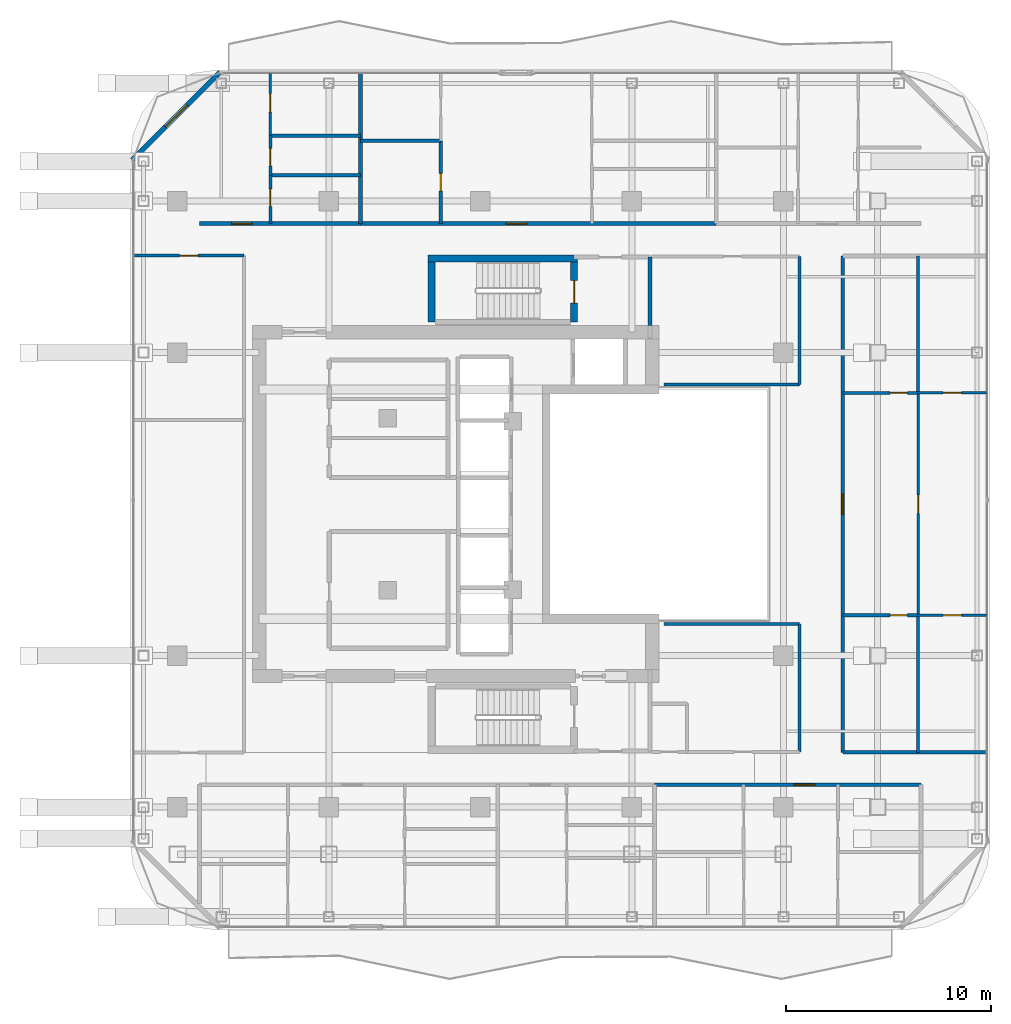
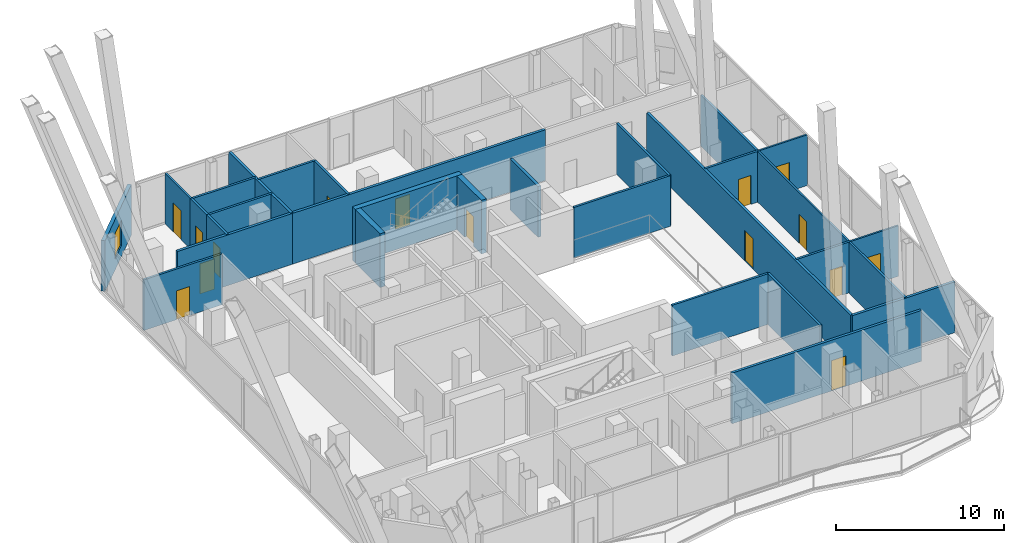
# One storey, part 23 of 27: 30 walls, 15 doors, 1 window, 16 openings.
"""IFC4 building model written with IfcOpenShell, lengths in metres."""

import ifcopenshell
import ifcopenshell.guid

model = None  # the IFC model being written
_history = None  # IfcOwnerHistory: only IFC2X3 demands one
_inside = {}  # id of a spatial element -> (the spatial element, [elements in it])
_under = {}  # id of a project, library or spatial element -> (it, [spatial elements below it])
_declared = {}  # id of a project -> (the project, [libraries it declares])
_typed = {}  # id of a type object -> (the type object, [elements of that type])
_made_of = {}  # id of a material, layer set ... -> (it, [elements and type objects made of it])


def new_model(schema):
    """Start an empty IFC model of exactly this schema.

    Asked for "IFC4X3", IfcOpenShell would pick the latest addendum, in which some entities
    have other attributes; the version numbers below select the first issue.
    IFC2X3 requires an IfcOwnerHistory on every rooted entity: one is made here for all.
    """
    global model, _history
    if schema == "IFC4X3":
        model = ifcopenshell.file(schema_version=(4, 3, 0, 0))
    else:
        model = ifcopenshell.file(schema=schema)
    _inside.clear()
    _under.clear()
    _declared.clear()
    _typed.clear()
    _made_of.clear()
    _history = None
    if model.schema == "IFC2X3":
        org = make("IfcOrganization", Name="unknown")
        user = make(
            "IfcPersonAndOrganization",
            ThePerson=make("IfcPerson", FamilyName="unknown"),
            TheOrganization=org,
        )
        app = make(
            "IfcApplication",
            ApplicationDeveloper=org,
            Version="unknown",
            ApplicationFullName="unknown",
            ApplicationIdentifier="unknown",
        )
        _history = make(
            "IfcOwnerHistory",
            OwningUser=user,
            OwningApplication=app,
            ChangeAction="ADDED",
            CreationDate=0,
        )
    return model


def make(cls, **values):
    """One entity of the class cls with the attributes given. An attribute that is None is left unset."""
    return model.create_entity(
        cls, **{name: value for name, value in values.items() if value is not None}
    )


def rooted(cls, **values):
    """An entity with a GlobalId (a new one), such as an element, a storey or a relation."""
    return make(cls, GlobalId=ifcopenshell.guid.new(), OwnerHistory=_history, **values)


def si_unit(unit_type, name, prefix=None):
    """IfcSIUnit, for example si_unit("LENGTHUNIT", "METRE", prefix="MILLI")."""
    return make("IfcSIUnit", UnitType=unit_type, Prefix=prefix, Name=name)


def assignment(units):
    """IfcUnitAssignment: the units of a project."""
    return None if units is None else make("IfcUnitAssignment", Units=units)


def point(xyz):
    """IfcCartesianPoint."""
    return None if xyz is None else make("IfcCartesianPoint", Coordinates=xyz)


def direction(xyz):
    """IfcDirection."""
    return None if xyz is None else make("IfcDirection", DirectionRatios=xyz)


def frame(location, z_axis=None, x_axis=None):
    """IfcAxis2Placement3D, a coordinate frame: its origin and axes. An axis left out is left unset."""
    return make(
        "IfcAxis2Placement3D",
        Location=point(location),
        Axis=direction(z_axis),
        RefDirection=direction(x_axis),
    )


def frame_2d(location, x_axis=None):
    """IfcAxis2Placement2D, a coordinate frame in the plane: its origin and x axis."""
    return make(
        "IfcAxis2Placement2D", Location=point(location), RefDirection=direction(x_axis)
    )


def origin():
    """The frame at (0, 0, 0) with its axes left unset."""
    return frame((0.0, 0.0, 0.0))


def place(relative_to, where):
    """IfcLocalPlacement: puts the frame where relative to a parent placement (None: the world)."""
    return make(
        "IfcLocalPlacement", PlacementRelTo=relative_to, RelativePlacement=where
    )


def context(
    kind, dimensions, precision=None, world=None, true_north=None, identifier=None
):
    """IfcGeometricRepresentationContext, for example the 3D "Model" context."""
    return make(
        "IfcGeometricRepresentationContext",
        ContextIdentifier=identifier,
        ContextType=kind,
        CoordinateSpaceDimension=dimensions,
        Precision=precision,
        WorldCoordinateSystem=world,
        TrueNorth=true_north,
    )


def subcontext(parent, identifier, kind, view, scale=None):
    """IfcGeometricRepresentationSubContext, for example "Body" below "Model"."""
    return make(
        "IfcGeometricRepresentationSubContext",
        ContextIdentifier=identifier,
        ContextType=kind,
        ParentContext=parent,
        TargetScale=scale,
        TargetView=view,
    )


def project(units=None, contexts=None):
    """IfcProject with its units and contexts."""
    return rooted(
        "IfcProject",
        Name="project",
        RepresentationContexts=contexts,
        UnitsInContext=assignment(units),
    )


def spatial(cls, under=None, at=None, **own):
    """A site, building, storey or space (cls), placed at a placement, below another one or the project."""
    s = rooted(cls, ObjectPlacement=at, **own)
    if under is not None:
        _under.setdefault(under.id(), (under, []))[1].append(s)
    return s


def profile(cls, at=None, kind="AREA", **sizes):
    """A parametric profile (cls). Its sizes go by their IFC names, for example OverallWidth=200.0."""
    return make(cls, ProfileType=kind, Position=at, **sizes)


def rectangle(**sizes):
    """IfcRectangleProfileDef."""
    return profile("IfcRectangleProfileDef", **sizes)


def extrude(swept, where, along, depth):
    """IfcExtrudedAreaSolid: the profile swept, set in the frame where, extruded along a direction by depth."""
    return make(
        "IfcExtrudedAreaSolid",
        SweptArea=swept,
        Position=where,
        ExtrudedDirection=direction(along),
        Depth=depth,
    )


def shape(context_of_items, identifier, shape_type, items):
    """IfcShapeRepresentation: the items that make up one representation, for example the "Body"."""
    return make(
        "IfcShapeRepresentation",
        ContextOfItems=context_of_items,
        RepresentationIdentifier=identifier,
        RepresentationType=shape_type,
        Items=items,
    )


def material(Name=None, Category=None):
    """IfcMaterial."""
    return make("IfcMaterial", Name=Name, Category=Category)


def layer(
    of_material, thickness, ventilated=None, Name=None, Category=None, Priority=None
):
    """IfcMaterialLayer: one layer of a wall or slab, of a material (None: an air gap)."""
    return make(
        "IfcMaterialLayer",
        Material=of_material,
        LayerThickness=thickness,
        IsVentilated=ventilated,
        Name=Name,
        Category=Category,
        Priority=Priority,
    )


def layer_set(layers, Name=None):
    """IfcMaterialLayerSet."""
    return make("IfcMaterialLayerSet", MaterialLayers=layers, LayerSetName=Name)


def made_of(thing, what):
    """Note that an element or type object is made of a material, layer set ...; save() writes the relation."""
    if what is not None:
        _made_of.setdefault(what.id(), (what, []))[1].append(thing)
    return thing


def type_object(cls, material=None, **own):
    """A type object (cls), such as IfcWallType, which elements share."""
    return made_of(rooted(cls, **own), material)


def element(
    cls,
    number,
    at=None,
    inside=None,
    cuts=None,
    type_object=None,
    material=None,
    context=None,
    identifier="Body",
    shape_type=None,
    held_by="IfcProductDefinitionShape",
    body=None,
    shapes=None,
    **own,
):
    """One element of the class cls, such as IfcWall. Its Tag is "e" and its number.

    at: its placement. inside: the storey or other place that contains it. cuts: it is an
    opening in that element (IfcRelVoidsElement). A single representation is given by context,
    identifier, shape_type and body (its items); several are given by shapes. held_by: the class
    of the entity that holds the representations. save() writes the other relations.
    """
    e = rooted(cls, Tag="e%d" % number, ObjectPlacement=at, **own)
    if body is not None:
        shapes = [shape(context, identifier, shape_type, body)]
    if shapes is not None:
        e.Representation = make(held_by, Representations=shapes)
    if inside is not None:
        _inside.setdefault(inside.id(), (inside, []))[1].append(e)
    if cuts is not None:
        rooted(
            "IfcRelVoidsElement", RelatingBuildingElement=cuts, RelatedOpeningElement=e
        )
    if type_object is not None:
        _typed.setdefault(type_object.id(), (type_object, []))[1].append(e)
    return made_of(e, material)


def fill(opening, filler):
    """IfcRelFillsElement: the door or window that sits in an opening."""
    return rooted(
        "IfcRelFillsElement",
        RelatingOpeningElement=opening,
        RelatedBuildingElement=filler,
    )


def aggregate(whole, parts):
    """IfcRelAggregates: a whole, such as a stair, and the parts it consists of."""
    return rooted("IfcRelAggregates", RelatingObject=whole, RelatedObjects=parts)


def save(model, path):
    """Write the relations noted so far, then the file.

    IfcRelAggregates (storeys below a building ...), IfcRelContainedInSpatialStructure (elements
    in a storey), IfcRelDefinesByType, IfcRelAssociatesMaterial and IfcRelDeclares: one each for
    every whole, place, type object, material and project.
    """
    for whole, parts in _under.values():
        aggregate(whole, parts)
    for where, things in _inside.values():
        rooted(
            "IfcRelContainedInSpatialStructure",
            RelatedElements=things,
            RelatingStructure=where,
        )
    for kind, things in _typed.values():
        rooted("IfcRelDefinesByType", RelatedObjects=things, RelatingType=kind)
    for what, things in _made_of.values():
        rooted("IfcRelAssociatesMaterial", RelatedObjects=things, RelatingMaterial=what)
    for by, libraries in _declared.values():
        rooted("IfcRelDeclares", RelatingContext=by, RelatedDefinitions=libraries)
    model.write(path)


model = new_model("IFC4")

# Units and contexts
model_context = context("Model", 3, precision=1e-05, world=origin(), true_north=direction((0.0, 1.0)))
body_context = subcontext(model_context, "Body", "Model", "MODEL_VIEW")
ifc_project = project(units=[si_unit("LENGTHUNIT", "METRE"), si_unit("AREAUNIT", "SQUARE_METRE"), si_unit("VOLUMEUNIT", "CUBIC_METRE"), si_unit("PLANEANGLEUNIT", "RADIAN"), si_unit("MASSUNIT", "GRAM", prefix="KILO")], contexts=[model_context])

# Site, building, storey
site_placement = place(None, origin())
site = spatial("IfcSite", under=ifc_project, at=site_placement, CompositionType="ELEMENT")
building_placement = place(site_placement, origin())
building = spatial("IfcBuilding", under=site, at=building_placement, Name="Khorvyn Point Tower", CompositionType="ELEMENT")
storey_placement = place(building_placement, frame((0.0, 0.0, 270.300048828125)))
storey = spatial("IfcBuildingStorey", under=building, at=storey_placement, Name="L66", CompositionType="ELEMENT", Elevation=270.300048828125)

# Wall, opening, door
ifc_material_1 = material(Name="Double acoustic gypsum on twin steel stud", Category="steel")
ifc_layer_1 = layer(ifc_material_1, 0.179931640625)
ifc_layer_set_1 = layer_set([ifc_layer_1], Name="Acoustic Double-Stud Apartment Demising Wall 180")
wall_type_1 = type_object("IfcWallType", Name="Acoustic Double-Stud Apartment Demising Wall 180", PredefinedType="PARTITIONING", material=ifc_layer_set_1)
wall_1_placement = place(storey_placement, frame((-13.719970703125, 13.699951171875, 0.0), z_axis=(0.0, 0.0, 1.0), x_axis=(1.0, 0.0, 0.0)))
wall_1 = element("IfcWall", 1, at=wall_1_placement, inside=storey, type_object=wall_type_1, Name="Wall", PredefinedType="PARTITIONING", context=body_context, shape_type="SweptSolid", body=[
    extrude(rectangle(XDim=7.869873046875, YDim=0.179931640625, at=frame_2d((3.93505859375, 0.0))), origin(), (0.0, 0.0, 1.0), 3.679931640625),
])
opening_1_placement = place(wall_1_placement, frame((1.576171875, 0.0, 0.0)))
opening_1 = element("IfcOpeningElement", 2, at=opening_1_placement, cuts=wall_1, Name="Opening ID-AP60", PredefinedType="OPENING", context=body_context, shape_type="SweptSolid", body=[
    extrude(rectangle(XDim=1.0, YDim=2.199951171875, at=frame_2d((0.5, 1.10009765625))), frame((0.0, 0.099853515625, 0.0), z_axis=(0.0, -1.0, 0.0), x_axis=(1.0, 0.0, 0.0)), (0.0, 0.0, 1.0), 0.199951171875),
])
ifc_material_2 = material(Name="Engineered hardwood fire-rated leaf", Category="wood")
door_type_1 = type_object("IfcDoorType", Name="Acoustic Solid-Core Timber Apartment Entrance Door 1000x2200", OperationType="NOTDEFINED", PredefinedType="DOOR", material=ifc_material_2)
door_1_placement = place(opening_1_placement, origin())
door_1 = element("IfcDoor", 3, at=door_1_placement, inside=storey, type_object=door_type_1, Name="Door", OperationType="SINGLE_SWING_LEFT", OverallHeight=2.199951171875, OverallWidth=1.0, PredefinedType="DOOR", context=body_context, shape_type="SweptSolid", body=[
    extrude(rectangle(XDim=1.0, YDim=2.199951171875, at=frame_2d((0.5, 1.10009765625))), frame((0.0, 0.02490234375, 0.0), z_axis=(0.0, -1.0, 0.0), x_axis=(1.0, 0.0, 0.0)), (0.0, 0.0, 1.0), 0.050048828125),
])
fill(opening_1, door_1)

wall_2_placement = place(storey_placement, frame((-5.85009765625, 13.699951171875, 0.0), z_axis=(0.0, 0.0, 1.0), x_axis=(1.0, 0.0, 0.0)))
wall_2 = element("IfcWall", 4, at=wall_2_placement, inside=storey, type_object=wall_type_1, Name="Wall", PredefinedType="PARTITIONING", context=body_context, shape_type="SweptSolid", body=[
    extrude(rectangle(XDim=17.3681640625, YDim=0.179931640625, at=frame_2d((8.68408203125, 0.0))), origin(), (0.0, 0.0, 1.0), 3.679931640625),
])
opening_2_placement = place(wall_2_placement, frame((7.114013671875, 0.0, 0.0)))
opening_2 = element("IfcOpeningElement", 5, at=opening_2_placement, cuts=wall_2, Name="Opening ID-AP60", PredefinedType="OPENING", context=body_context, shape_type="SweptSolid", body=[
    extrude(rectangle(XDim=1.0, YDim=2.199951171875, at=frame_2d((0.5, 1.10009765625))), frame((0.0, 0.099853515625, 0.0), z_axis=(0.0, -1.0, 0.0), x_axis=(1.0, 0.0, 0.0)), (0.0, 0.0, 1.0), 0.199951171875),
])
door_2_placement = place(opening_2_placement, origin())
door_2 = element("IfcDoor", 6, at=door_2_placement, inside=storey, type_object=door_type_1, Name="Door", OperationType="SINGLE_SWING_LEFT", OverallHeight=2.199951171875, OverallWidth=1.0, PredefinedType="DOOR", context=body_context, shape_type="SweptSolid", body=[
    extrude(rectangle(XDim=1.0, YDim=2.199951171875, at=frame_2d((0.5, 1.10009765625))), frame((0.0, 0.02490234375, 0.0), z_axis=(0.0, -1.0, 0.0), x_axis=(1.0, 0.0, 0.0)), (0.0, 0.0, 1.0), 0.050048828125),
])
fill(opening_2, door_2)

wall_3_placement = place(storey_placement, frame((8.5048828125, -13.699951171875, 0.0), z_axis=(0.0, 0.0, 1.0), x_axis=(1.0, 0.0, 0.0)))
wall_3 = element("IfcWall", 7, at=wall_3_placement, inside=storey, type_object=wall_type_1, Name="Wall", PredefinedType="PARTITIONING", context=body_context, shape_type="SweptSolid", body=[
    extrude(rectangle(XDim=13.01513671875, YDim=0.179931640625, at=frame_2d((6.507568359375, 0.0))), origin(), (0.0, 0.0, 1.0), 3.679931640625),
])
opening_3_placement = place(wall_3_placement, frame((6.817138671875, 0.0, 0.0)))
opening_3 = element("IfcOpeningElement", 8, at=opening_3_placement, cuts=wall_3, Name="Opening ID-AP60", PredefinedType="OPENING", context=body_context, shape_type="SweptSolid", body=[
    extrude(rectangle(XDim=1.0, YDim=2.199951171875, at=frame_2d((0.5, 1.10009765625))), frame((0.0, 0.099853515625, 0.0), z_axis=(0.0, -1.0, 0.0), x_axis=(1.0, 0.0, 0.0)), (0.0, 0.0, 1.0), 0.199951171875),
])
door_3_placement = place(opening_3_placement, origin())
door_3 = element("IfcDoor", 9, at=door_3_placement, inside=storey, type_object=door_type_1, Name="Door", OperationType="SINGLE_SWING_RIGHT", OverallHeight=2.199951171875, OverallWidth=1.0, PredefinedType="DOOR", context=body_context, shape_type="SweptSolid", body=[
    extrude(rectangle(XDim=1.0, YDim=2.199951171875, at=frame_2d((0.5, 1.10009765625))), frame((0.0, 0.02490234375, 0.0), z_axis=(0.0, -1.0, 0.0), x_axis=(1.0, 0.0, 0.0)), (0.0, 0.0, 1.0), 0.050048828125),
])
fill(opening_3, door_3)

wall_4_placement = place(storey_placement, frame((17.699951171875, -12.1201171875, 0.0), z_axis=(0.0, 0.0, 1.0), x_axis=(0.0, 1.0, 0.0)))
wall_4 = element("IfcWall", 10, at=wall_4_placement, inside=storey, type_object=wall_type_1, Name="Wall", PredefinedType="PARTITIONING", context=body_context, shape_type="SweptSolid", body=[
    extrude(rectangle(XDim=24.240234375, YDim=0.179931640625, at=frame_2d((12.1201171875, 0.0))), origin(), (0.0, 0.0, 1.0), 3.679931640625),
])
opening_4_placement = place(wall_4_placement, frame((11.6201171875, 0.0, 0.0)))
opening_4 = element("IfcOpeningElement", 11, at=opening_4_placement, cuts=wall_4, Name="Opening ID-AP60", PredefinedType="OPENING", context=body_context, shape_type="SweptSolid", body=[
    extrude(rectangle(XDim=1.0, YDim=2.199951171875, at=frame_2d((0.5, 1.10009765625))), frame((0.0, 0.099853515625, 0.0), z_axis=(0.0, -1.0, 0.0), x_axis=(1.0, 0.0, 0.0)), (0.0, 0.0, 1.0), 0.199951171875),
])
door_4_placement = place(opening_4_placement, origin())
door_4 = element("IfcDoor", 12, at=door_4_placement, inside=storey, type_object=door_type_1, Name="Door", OperationType="SINGLE_SWING_LEFT", OverallHeight=2.199951171875, OverallWidth=1.0, PredefinedType="DOOR", context=body_context, shape_type="SweptSolid", body=[
    extrude(rectangle(XDim=1.0, YDim=2.199951171875, at=frame_2d((0.5, 1.10009765625))), frame((0.0, 0.02490234375, 0.0), z_axis=(0.0, -1.0, 0.0), x_axis=(1.0, 0.0, 0.0)), (0.0, 0.0, 1.0), 0.050048828125),
])
fill(opening_4, door_4)

# Walls
wall_5_placement = place(storey_placement, frame((-5.85009765625, 13.699951171875, 0.0), z_axis=(0.0, 0.0, 1.0), x_axis=(0.0, 1.0, 0.0)))
element("IfcWall", 13, at=wall_5_placement, inside=storey, type_object=wall_type_1, Name="Wall", PredefinedType="PARTITIONING", context=body_context, shape_type="SweptSolid", body=[
    extrude(rectangle(XDim=7.330078125, YDim=0.179931640625, at=frame_2d((3.6650390625, 0.0))), origin(), (0.0, 0.0, 1.0), 3.679931640625),
])
wall_6_placement = place(storey_placement, frame((17.699951171875, -12.1201171875, 0.0), z_axis=(0.0, 0.0, 1.0), x_axis=(1.0, 0.0, 0.0)))
element("IfcWall", 14, at=wall_6_placement, inside=storey, type_object=wall_type_1, Name="Wall", PredefinedType="PARTITIONING", context=body_context, shape_type="SweptSolid", body=[
    extrude(rectangle(XDim=7.030029296875, YDim=0.179931640625, at=frame_2d((3.51513671875, 0.0))), origin(), (0.0, 0.0, 1.0), 3.679931640625),
])

# Wall, opening, window
ifc_material_3 = material(Name="Pale anodised aluminium rainscreen on steel stud", Category="steel")
ifc_layer_2 = layer(ifc_material_3, 0.239990234375)
ifc_layer_set_2 = layer_set([ifc_layer_2], Name="Anodised Aluminium Insulated Corner Spandrel Wall 240")
wall_type_2 = type_object("IfcWallType", Name="Anodised Aluminium Insulated Corner Spandrel Wall 240", PredefinedType="SOLIDWALL", material=ifc_layer_set_2)
wall_7_placement = place(storey_placement, frame((-16.992431640625, 16.8076171875, 0.0), z_axis=(0.0, 0.0, 1.0), x_axis=(0.707126925818, 0.707086635981, 0.0)))
wall_7 = element("IfcWall", 15, at=wall_7_placement, inside=storey, type_object=wall_type_2, Name="L66 Rounded Corner Wall NW", PredefinedType="SOLIDWALL", context=body_context, shape_type="SweptSolid", body=[
    extrude(rectangle(XDim=6.0595703125, YDim=0.239990234375, at=frame_2d((3.02978515625, 0.0))), origin(), (0.0, 0.0, 1.0), 3.679931640625),
])
opening_5_placement = place(wall_7_placement, frame((2.27978515625, 0.0, 0.800048828125)))
opening_5 = element("IfcOpeningElement", 16, at=opening_5_placement, cuts=wall_7, Name="Opening WN-1518", PredefinedType="OPENING", context=body_context, shape_type="SweptSolid", body=[
    extrude(rectangle(XDim=1.5, YDim=1.85009765625, at=frame_2d((0.75, 0.925048828125))), frame((0.0, 0.1298828125, 0.0), z_axis=(0.0, -1.0, 0.0), x_axis=(1.0, 0.0, 0.0)), (0.0, 0.0, 1.0), 0.260009765625),
])
ifc_material_4 = material(Name="Anodised aluminium 6063-T6 and laminated Low-E glass", Category="aluminium")
window_type = type_object("IfcWindowType", Name="Anodised Aluminium Rounded-Corner Panoramic Window 1500x1850", PartitioningType="SINGLE_PANEL", PredefinedType="WINDOW", material=ifc_material_4)
window_placement = place(opening_5_placement, origin())
window = element("IfcWindow", 17, at=window_placement, inside=storey, type_object=window_type, Name="L66 Corner Panoramic Window NW", OverallHeight=1.85009765625, OverallWidth=1.5, PartitioningType="SINGLE_PANEL", PredefinedType="WINDOW", context=body_context, shape_type="SweptSolid", body=[
    extrude(rectangle(XDim=1.5, YDim=1.85009765625, at=frame_2d((0.75, 0.925048828125))), frame((0.0, 0.030029296875, 0.0), z_axis=(0.0, -1.0, 0.0), x_axis=(1.0, 0.0, 0.0)), (0.0, 0.0, 1.0), 0.06005859375),
])
fill(opening_5, window)

# Walls
ifc_material_5 = material(Name="Concrete C40/50", Category="concrete")
ifc_layer_3 = layer(ifc_material_5, 0.199951171875)
ifc_layer_set_3 = layer_set([ifc_layer_3], Name="Concrete C40/50 Fire-Lobby Compartment Wall 200")
wall_type_3 = type_object("IfcWallType", Name="Concrete C40/50 Fire-Lobby Compartment Wall 200", PredefinedType="SOLIDWALL", material=ifc_layer_set_3)
wall_8_placement = place(storey_placement, frame((8.280029296875, 8.72509765625, 0.0), z_axis=(0.0, 0.0, 1.0), x_axis=(0.0, 1.0, 0.0)))
element("IfcWall", 18, at=wall_8_placement, inside=storey, type_object=wall_type_3, Name="Wall", PredefinedType="SOLIDWALL", context=body_context, shape_type="SweptSolid", body=[
    extrude(rectangle(XDim=3.3349609375, YDim=0.199951171875, at=frame_2d((1.66748046875, 0.0))), origin(), (0.0, 0.0, 1.0), 3.679931640625),
])
ifc_layer_4 = layer(ifc_material_5, 0.35009765625)
ifc_layer_set_4 = layer_set([ifc_layer_4], Name="Concrete C40/50 Stair Shaft Structural Wall 350")
wall_type_4 = type_object("IfcWallType", Name="Concrete C40/50 Stair Shaft Structural Wall 350", PredefinedType="SHEAR", material=ifc_layer_set_4)
wall_9_placement = place(storey_placement, frame((-2.554931640625, 12.0, 0.0), z_axis=(0.0, 0.0, 1.0), x_axis=(1.0, 0.0, 0.0)))
element("IfcWall", 19, at=wall_9_placement, inside=storey, type_object=wall_type_4, Name="L66 ST-02 North Shaft Wall", PredefinedType="SHEAR", context=body_context, shape_type="SweptSolid", body=[
    extrude(rectangle(XDim=7.309814453125, YDim=0.35009765625, at=frame_2d((3.65478515625, 0.0))), origin(), (0.0, 0.0, 1.0), 3.89990234375),
])
wall_10_placement = place(storey_placement, frame((-2.3798828125, 8.89990234375, 0.0), z_axis=(0.0, 0.0, 1.0), x_axis=(0.0, 1.0, 0.0)))
element("IfcWall", 20, at=wall_10_placement, inside=storey, type_object=wall_type_4, Name="L66 ST-02 West Shaft Wall", PredefinedType="SHEAR", context=body_context, shape_type="SweptSolid", body=[
    extrude(rectangle(XDim=2.925048828125, YDim=0.35009765625, at=frame_2d((1.46240234375, 0.0))), origin(), (0.0, 0.0, 1.0), 3.89990234375),
])

# Wall, opening, door
wall_11_placement = place(storey_placement, frame((4.580078125, 11.824951171875, 0.0), z_axis=(0.0, 0.0, 1.0), x_axis=(0.0, -1.0, 0.0)))
wall_11 = element("IfcWall", 21, at=wall_11_placement, inside=storey, type_object=wall_type_4, Name="L66 ST-02 East Landing Door Wall", PredefinedType="SHEAR", context=body_context, shape_type="SweptSolid", body=[
    extrude(rectangle(XDim=2.925048828125, YDim=0.35009765625, at=frame_2d((1.46240234375, 0.0))), origin(), (0.0, 0.0, 1.0), 3.89990234375),
])
opening_6_placement = place(wall_11_placement, frame((0.91259765625, 0.0, 0.0)))
opening_6 = element("IfcOpeningElement", 22, at=opening_6_placement, cuts=wall_11, Name="Opening ID-FL90", PredefinedType="OPENING", context=body_context, shape_type="SweptSolid", body=[
    extrude(rectangle(XDim=1.10009765625, YDim=2.14990234375, at=frame_2d((0.550048828125, 1.074951171875))), frame((0.0, 0.18505859375, 0.0), z_axis=(0.0, -1.0, 0.0), x_axis=(1.0, 0.0, 0.0)), (0.0, 0.0, 1.0), 0.3701171875),
])
ifc_material_6 = material(Name="Galvanised powder-coated steel", Category="steel")
door_type_2 = type_object("IfcDoorType", Name="Fire-Rated Steel Lobby and Stair Door 1100x2150", OperationType="NOTDEFINED", PredefinedType="DOOR", material=ifc_material_6)
door_5_placement = place(opening_6_placement, origin())
door_5 = element("IfcDoor", 23, at=door_5_placement, inside=storey, type_object=door_type_2, Name="L66 ST-02 Smokeproof Landing Door", OperationType="SINGLE_SWING_LEFT", OverallHeight=2.14990234375, OverallWidth=1.10009765625, PredefinedType="DOOR", context=body_context, shape_type="SweptSolid", body=[
    extrude(rectangle(XDim=1.10009765625, YDim=2.14990234375, at=frame_2d((0.550048828125, 1.074951171875))), frame((0.0, 0.02490234375, 0.0), z_axis=(0.0, -1.0, 0.0), x_axis=(1.0, 0.0, 0.0)), (0.0, 0.0, 1.0), 0.050048828125),
])
fill(opening_6, door_5)

ifc_material_7 = material(Name="Gypsum plasterboard on steel stud", Category="steel")
ifc_layer_5 = layer(ifc_material_7, 0.1201171875)
ifc_layer_set_5 = layer_set([ifc_layer_5], Name="Gypsum Acoustic Stud Room Partition Wall 120")
wall_type_5 = type_object("IfcWallType", Name="Gypsum Acoustic Stud Room Partition Wall 120", PredefinedType="PARTITIONING", material=ifc_layer_set_5)
wall_12_placement = place(storey_placement, frame((-10.257080078125, 17.989990234375, 0.0), z_axis=(0.0, 0.0, 1.0), x_axis=(0.0, 1.0, 0.0)))
wall_12 = element("IfcWall", 24, at=wall_12_placement, inside=storey, type_object=wall_type_5, Name="Wall", PredefinedType="PARTITIONING", context=body_context, shape_type="SweptSolid", body=[
    extrude(rectangle(XDim=3.0400390625, YDim=0.1201171875, at=frame_2d((1.52001953125, 0.0))), origin(), (0.0, 0.0, 1.0), 3.679931640625),
])
opening_7_placement = place(wall_12_placement, frame((1.152587890625, 0.0, 0.0)))
opening_7 = element("IfcOpeningElement", 25, at=opening_7_placement, cuts=wall_12, Name="Opening ID-RM90", PredefinedType="OPENING", context=body_context, shape_type="SweptSolid", body=[
    extrude(rectangle(XDim=0.89990234375, YDim=2.10009765625, at=frame_2d((0.449951171875, 1.050048828125))), frame((0.0, 0.070068359375, 0.0), z_axis=(0.0, -1.0, 0.0), x_axis=(1.0, 0.0, 0.0)), (0.0, 0.0, 1.0), 0.14013671875),
])
ifc_material_8 = material(Name="Engineered oak veneer timber", Category="wood")
door_type_3 = type_object("IfcDoorType", Name="Flush Engineered Timber Room Door 900x2100", OperationType="NOTDEFINED", PredefinedType="DOOR", material=ifc_material_8)
door_6_placement = place(opening_7_placement, origin())
door_6 = element("IfcDoor", 26, at=door_6_placement, inside=storey, type_object=door_type_3, Name="Door", OperationType="SINGLE_SWING_RIGHT", OverallHeight=2.10009765625, OverallWidth=0.89990234375, PredefinedType="DOOR", context=body_context, shape_type="SweptSolid", body=[
    extrude(rectangle(XDim=0.89990234375, YDim=2.10009765625, at=frame_2d((0.449951171875, 1.050048828125))), frame((0.0, 0.02490234375, 0.0), z_axis=(0.0, -1.0, 0.0), x_axis=(1.0, 0.0, 0.0)), (0.0, 0.0, 1.0), 0.050048828125),
])
fill(opening_7, door_6)

wall_13_placement = place(storey_placement, frame((21.376953125, -5.427978515625, 0.0), z_axis=(0.0, 0.0, 1.0), x_axis=(0.0, 1.0, 0.0)))
wall_13 = element("IfcWall", 27, at=wall_13_placement, inside=storey, type_object=wall_type_5, Name="Wall", PredefinedType="PARTITIONING", context=body_context, shape_type="SweptSolid", body=[
    extrude(rectangle(XDim=10.85595703125, YDim=0.1201171875, at=frame_2d((5.427978515625, 0.0))), origin(), (0.0, 0.0, 1.0), 3.679931640625),
])
opening_8_placement = place(wall_13_placement, frame((4.97802734375, 0.0, 0.0)))
opening_8 = element("IfcOpeningElement", 28, at=opening_8_placement, cuts=wall_13, Name="Opening ID-RM90", PredefinedType="OPENING", context=body_context, shape_type="SweptSolid", body=[
    extrude(rectangle(XDim=0.89990234375, YDim=2.10009765625, at=frame_2d((0.449951171875, 1.050048828125))), frame((0.0, 0.070068359375, 0.0), z_axis=(0.0, -1.0, 0.0), x_axis=(1.0, 0.0, 0.0)), (0.0, 0.0, 1.0), 0.14013671875),
])
door_7_placement = place(opening_8_placement, origin())
door_7 = element("IfcDoor", 29, at=door_7_placement, inside=storey, type_object=door_type_3, Name="Door", OperationType="SINGLE_SWING_RIGHT", OverallHeight=2.10009765625, OverallWidth=0.89990234375, PredefinedType="DOOR", context=body_context, shape_type="SweptSolid", body=[
    extrude(rectangle(XDim=0.89990234375, YDim=2.10009765625, at=frame_2d((0.449951171875, 1.050048828125))), frame((0.0, 0.02490234375, 0.0), z_axis=(0.0, -1.0, 0.0), x_axis=(1.0, 0.0, 0.0)), (0.0, 0.0, 1.0), 0.050048828125),
])
fill(opening_8, door_7)

wall_14_placement = place(storey_placement, frame((21.376953125, -5.427978515625, 0.0), z_axis=(0.0, 0.0, 1.0), x_axis=(1.0, 0.0, 0.0)))
wall_14 = element("IfcWall", 30, at=wall_14_placement, inside=storey, type_object=wall_type_5, Name="Wall", PredefinedType="PARTITIONING", context=body_context, shape_type="SweptSolid", body=[
    extrude(rectangle(XDim=3.35302734375, YDim=0.1201171875, at=frame_2d((1.676513671875, 0.0))), origin(), (0.0, 0.0, 1.0), 3.679931640625),
])
opening_9_placement = place(wall_14_placement, frame((1.2265625, 0.0, 0.0)))
opening_9 = element("IfcOpeningElement", 31, at=opening_9_placement, cuts=wall_14, Name="Opening ID-RM90", PredefinedType="OPENING", context=body_context, shape_type="SweptSolid", body=[
    extrude(rectangle(XDim=0.89990234375, YDim=2.10009765625, at=frame_2d((0.449951171875, 1.050048828125))), frame((0.0, 0.070068359375, 0.0), z_axis=(0.0, -1.0, 0.0), x_axis=(1.0, 0.0, 0.0)), (0.0, 0.0, 1.0), 0.14013671875),
])
door_8_placement = place(opening_9_placement, origin())
door_8 = element("IfcDoor", 32, at=door_8_placement, inside=storey, type_object=door_type_3, Name="Door", OperationType="SINGLE_SWING_LEFT", OverallHeight=2.10009765625, OverallWidth=0.89990234375, PredefinedType="DOOR", context=body_context, shape_type="SweptSolid", body=[
    extrude(rectangle(XDim=0.89990234375, YDim=2.10009765625, at=frame_2d((0.449951171875, 1.050048828125))), frame((0.0, 0.02490234375, 0.0), z_axis=(0.0, -1.0, 0.0), x_axis=(1.0, 0.0, 0.0)), (0.0, 0.0, 1.0), 0.050048828125),
])
fill(opening_9, door_8)

wall_15_placement = place(storey_placement, frame((21.376953125, 5.427978515625, 0.0), z_axis=(0.0, 0.0, 1.0), x_axis=(1.0, 0.0, 0.0)))
wall_15 = element("IfcWall", 33, at=wall_15_placement, inside=storey, type_object=wall_type_5, Name="Wall", PredefinedType="PARTITIONING", context=body_context, shape_type="SweptSolid", body=[
    extrude(rectangle(XDim=3.35302734375, YDim=0.1201171875, at=frame_2d((1.676513671875, 0.0))), origin(), (0.0, 0.0, 1.0), 3.679931640625),
])
opening_10_placement = place(wall_15_placement, frame((1.2265625, 0.0, 0.0)))
opening_10 = element("IfcOpeningElement", 34, at=opening_10_placement, cuts=wall_15, Name="Opening ID-RM90", PredefinedType="OPENING", context=body_context, shape_type="SweptSolid", body=[
    extrude(rectangle(XDim=0.89990234375, YDim=2.10009765625, at=frame_2d((0.449951171875, 1.050048828125))), frame((0.0, 0.070068359375, 0.0), z_axis=(0.0, -1.0, 0.0), x_axis=(1.0, 0.0, 0.0)), (0.0, 0.0, 1.0), 0.14013671875),
])
door_9_placement = place(opening_10_placement, origin())
door_9 = element("IfcDoor", 35, at=door_9_placement, inside=storey, type_object=door_type_3, Name="Door", OperationType="SINGLE_SWING_RIGHT", OverallHeight=2.10009765625, OverallWidth=0.89990234375, PredefinedType="DOOR", context=body_context, shape_type="SweptSolid", body=[
    extrude(rectangle(XDim=0.89990234375, YDim=2.10009765625, at=frame_2d((0.449951171875, 1.050048828125))), frame((0.0, 0.02490234375, 0.0), z_axis=(0.0, -1.0, 0.0), x_axis=(1.0, 0.0, 0.0)), (0.0, 0.0, 1.0), 0.050048828125),
])
fill(opening_10, door_9)

ifc_material_9 = material(Name="Moisture-resistant gypsum and cement board", Category="gypsum")
ifc_layer_6 = layer(ifc_material_9, 0.14990234375)
ifc_layer_set_6 = layer_set([ifc_layer_6], Name="Moisture-Resistant Wet-Room Partition Wall 150")
wall_type_6 = type_object("IfcWallType", Name="Moisture-Resistant Wet-Room Partition Wall 150", PredefinedType="PARTITIONING", material=ifc_layer_set_6)
wall_16_placement = place(storey_placement, frame((-10.257080078125, 13.699951171875, 0.0), z_axis=(0.0, 0.0, 1.0), x_axis=(0.0, 1.0, 0.0)))
wall_16 = element("IfcWall", 36, at=wall_16_placement, inside=storey, type_object=wall_type_6, Name="Wall", PredefinedType="PARTITIONING", context=body_context, shape_type="SweptSolid", body=[
    extrude(rectangle(XDim=2.359130859375, YDim=0.14990234375, at=frame_2d((1.1796875, 0.0))), origin(), (0.0, 0.0, 1.0), 3.679931640625),
])
opening_11_placement = place(wall_16_placement, frame((0.83935546875, 0.0, 0.0)))
opening_11 = element("IfcOpeningElement", 37, at=opening_11_placement, cuts=wall_16, Name="Opening ID-WC85", PredefinedType="OPENING", context=body_context, shape_type="SweptSolid", body=[
    extrude(rectangle(XDim=0.85009765625, YDim=2.10009765625, at=frame_2d((0.425048828125, 1.050048828125))), frame((0.0, 0.0849609375, 0.0), z_axis=(0.0, -1.0, 0.0), x_axis=(1.0, 0.0, 0.0)), (0.0, 0.0, 1.0), 0.169921875),
])
ifc_material_10 = material(Name="High-pressure laminate on moisture-resistant core", Category="wood")
door_type_4 = type_object("IfcDoorType", Name="Moisture-Resistant Accessible Washroom Door 850x2100", OperationType="NOTDEFINED", PredefinedType="DOOR", material=ifc_material_10)
door_10_placement = place(opening_11_placement, origin())
door_10 = element("IfcDoor", 38, at=door_10_placement, inside=storey, type_object=door_type_4, Name="Door", OperationType="SINGLE_SWING_RIGHT", OverallHeight=2.10009765625, OverallWidth=0.85009765625, PredefinedType="DOOR", context=body_context, shape_type="SweptSolid", body=[
    extrude(rectangle(XDim=0.85009765625, YDim=2.10009765625, at=frame_2d((0.425048828125, 1.050048828125))), frame((0.0, 0.02490234375, 0.0), z_axis=(0.0, -1.0, 0.0), x_axis=(1.0, 0.0, 0.0)), (0.0, 0.0, 1.0), 0.050048828125),
])
fill(opening_11, door_10)

wall_17_placement = place(storey_placement, frame((-10.257080078125, 16.05908203125, 0.0), z_axis=(0.0, 0.0, 1.0), x_axis=(0.0, 1.0, 0.0)))
wall_17 = element("IfcWall", 39, at=wall_17_placement, inside=storey, type_object=wall_type_6, Name="Wall", PredefinedType="PARTITIONING", context=body_context, shape_type="SweptSolid", body=[
    extrude(rectangle(XDim=1.930908203125, YDim=0.14990234375, at=frame_2d((0.96533203125, 0.0))), origin(), (0.0, 0.0, 1.0), 3.679931640625),
])
opening_12_placement = place(wall_17_placement, frame((0.46435546875, 0.0, 0.0)))
opening_12 = element("IfcOpeningElement", 40, at=opening_12_placement, cuts=wall_17, Name="Opening ID-WC85", PredefinedType="OPENING", context=body_context, shape_type="SweptSolid", body=[
    extrude(rectangle(XDim=0.85009765625, YDim=2.10009765625, at=frame_2d((0.425048828125, 1.050048828125))), frame((0.0, 0.0849609375, 0.0), z_axis=(0.0, -1.0, 0.0), x_axis=(1.0, 0.0, 0.0)), (0.0, 0.0, 1.0), 0.169921875),
])
door_11_placement = place(opening_12_placement, origin())
door_11 = element("IfcDoor", 41, at=door_11_placement, inside=storey, type_object=door_type_4, Name="Door", OperationType="SINGLE_SWING_LEFT", OverallHeight=2.10009765625, OverallWidth=0.85009765625, PredefinedType="DOOR", context=body_context, shape_type="SweptSolid", body=[
    extrude(rectangle(XDim=0.85009765625, YDim=2.10009765625, at=frame_2d((0.425048828125, 1.050048828125))), frame((0.0, 0.02490234375, 0.0), z_axis=(0.0, -1.0, 0.0), x_axis=(1.0, 0.0, 0.0)), (0.0, 0.0, 1.0), 0.050048828125),
])
fill(opening_12, door_11)

wall_18_placement = place(storey_placement, frame((-1.93505859375, 13.699951171875, 0.0), z_axis=(0.0, 0.0, 1.0), x_axis=(0.0, 1.0, 0.0)))
wall_18 = element("IfcWall", 42, at=wall_18_placement, inside=storey, type_object=wall_type_6, Name="Wall", PredefinedType="PARTITIONING", context=body_context, shape_type="SweptSolid", body=[
    extrude(rectangle(XDim=4.0439453125, YDim=0.14990234375, at=frame_2d((2.02197265625, 0.0))), origin(), (0.0, 0.0, 1.0), 3.679931640625),
])
opening_13_placement = place(wall_18_placement, frame((1.596923828125, 0.0, 0.0)))
opening_13 = element("IfcOpeningElement", 43, at=opening_13_placement, cuts=wall_18, Name="Opening ID-WC85", PredefinedType="OPENING", context=body_context, shape_type="SweptSolid", body=[
    extrude(rectangle(XDim=0.85009765625, YDim=2.10009765625, at=frame_2d((0.425048828125, 1.050048828125))), frame((0.0, 0.0849609375, 0.0), z_axis=(0.0, -1.0, 0.0), x_axis=(1.0, 0.0, 0.0)), (0.0, 0.0, 1.0), 0.169921875),
])
door_12_placement = place(opening_13_placement, origin())
door_12 = element("IfcDoor", 44, at=door_12_placement, inside=storey, type_object=door_type_4, Name="Door", OperationType="SINGLE_SWING_RIGHT", OverallHeight=2.10009765625, OverallWidth=0.85009765625, PredefinedType="DOOR", context=body_context, shape_type="SweptSolid", body=[
    extrude(rectangle(XDim=0.85009765625, YDim=2.10009765625, at=frame_2d((0.425048828125, 1.050048828125))), frame((0.0, 0.02490234375, 0.0), z_axis=(0.0, -1.0, 0.0), x_axis=(1.0, 0.0, 0.0)), (0.0, 0.0, 1.0), 0.050048828125),
])
fill(opening_13, door_12)

wall_19_placement = place(storey_placement, frame((-16.929931640625, 12.139892578125, 0.0), z_axis=(0.0, 0.0, 1.0), x_axis=(1.0, 0.0, 0.0)))
wall_19 = element("IfcWall", 45, at=wall_19_placement, inside=storey, type_object=wall_type_6, Name="Wall", PredefinedType="PARTITIONING", context=body_context, shape_type="SweptSolid", body=[
    extrude(rectangle(XDim=5.3798828125, YDim=0.14990234375, at=frame_2d((2.68994140625, 0.0))), origin(), (0.0, 0.0, 1.0), 3.679931640625),
])
opening_14_placement = place(wall_19_placement, frame((2.239990234375, 0.0, 0.0)))
opening_14 = element("IfcOpeningElement", 46, at=opening_14_placement, cuts=wall_19, Name="Opening ID-RM90", PredefinedType="OPENING", context=body_context, shape_type="SweptSolid", body=[
    extrude(rectangle(XDim=0.89990234375, YDim=2.10009765625, at=frame_2d((0.449951171875, 1.050048828125))), frame((0.0, 0.0849609375, 0.0), z_axis=(0.0, -1.0, 0.0), x_axis=(1.0, 0.0, 0.0)), (0.0, 0.0, 1.0), 0.169921875),
])
door_13_placement = place(opening_14_placement, origin())
door_13 = element("IfcDoor", 47, at=door_13_placement, inside=storey, type_object=door_type_3, Name="Door", OperationType="SINGLE_SWING_RIGHT", OverallHeight=2.10009765625, OverallWidth=0.89990234375, PredefinedType="DOOR", context=body_context, shape_type="SweptSolid", body=[
    extrude(rectangle(XDim=0.89990234375, YDim=2.10009765625, at=frame_2d((0.449951171875, 1.050048828125))), frame((0.0, 0.02490234375, 0.0), z_axis=(0.0, -1.0, 0.0), x_axis=(1.0, 0.0, 0.0)), (0.0, 0.0, 1.0), 0.050048828125),
])
fill(opening_14, door_13)

wall_20_placement = place(storey_placement, frame((17.699951171875, 5.427978515625, 0.0), z_axis=(0.0, 0.0, 1.0), x_axis=(1.0, 0.0, 0.0)))
wall_20 = element("IfcWall", 48, at=wall_20_placement, inside=storey, type_object=wall_type_6, Name="Wall", PredefinedType="PARTITIONING", context=body_context, shape_type="SweptSolid", body=[
    extrude(rectangle(XDim=3.677001953125, YDim=0.14990234375, at=frame_2d((1.83837890625, 0.0))), origin(), (0.0, 0.0, 1.0), 3.679931640625),
])
opening_15_placement = place(wall_20_placement, frame((2.308837890625, 0.0, 0.0)))
opening_15 = element("IfcOpeningElement", 49, at=opening_15_placement, cuts=wall_20, Name="Opening ID-WC85", PredefinedType="OPENING", context=body_context, shape_type="SweptSolid", body=[
    extrude(rectangle(XDim=0.85009765625, YDim=2.10009765625, at=frame_2d((0.425048828125, 1.050048828125))), frame((0.0, 0.0849609375, 0.0), z_axis=(0.0, -1.0, 0.0), x_axis=(1.0, 0.0, 0.0)), (0.0, 0.0, 1.0), 0.169921875),
])
door_14_placement = place(opening_15_placement, origin())
door_14 = element("IfcDoor", 50, at=door_14_placement, inside=storey, type_object=door_type_4, Name="Door", OperationType="SINGLE_SWING_LEFT", OverallHeight=2.10009765625, OverallWidth=0.85009765625, PredefinedType="DOOR", context=body_context, shape_type="SweptSolid", body=[
    extrude(rectangle(XDim=0.85009765625, YDim=2.10009765625, at=frame_2d((0.425048828125, 1.050048828125))), frame((0.0, 0.02490234375, 0.0), z_axis=(0.0, -1.0, 0.0), x_axis=(1.0, 0.0, 0.0)), (0.0, 0.0, 1.0), 0.050048828125),
])
fill(opening_15, door_14)

wall_21_placement = place(storey_placement, frame((17.699951171875, -5.427978515625, 0.0), z_axis=(0.0, 0.0, 1.0), x_axis=(1.0, 0.0, 0.0)))
wall_21 = element("IfcWall", 51, at=wall_21_placement, inside=storey, type_object=wall_type_6, Name="Wall", PredefinedType="PARTITIONING", context=body_context, shape_type="SweptSolid", body=[
    extrude(rectangle(XDim=3.677001953125, YDim=0.14990234375, at=frame_2d((1.83837890625, 0.0))), origin(), (0.0, 0.0, 1.0), 3.679931640625),
])
opening_16_placement = place(wall_21_placement, frame((2.308837890625, 0.0, 0.0)))
opening_16 = element("IfcOpeningElement", 52, at=opening_16_placement, cuts=wall_21, Name="Opening ID-WC85", PredefinedType="OPENING", context=body_context, shape_type="SweptSolid", body=[
    extrude(rectangle(XDim=0.85009765625, YDim=2.10009765625, at=frame_2d((0.425048828125, 1.050048828125))), frame((0.0, 0.0849609375, 0.0), z_axis=(0.0, -1.0, 0.0), x_axis=(1.0, 0.0, 0.0)), (0.0, 0.0, 1.0), 0.169921875),
])
door_15_placement = place(opening_16_placement, origin())
door_15 = element("IfcDoor", 53, at=door_15_placement, inside=storey, type_object=door_type_4, Name="Door", OperationType="SINGLE_SWING_RIGHT", OverallHeight=2.10009765625, OverallWidth=0.85009765625, PredefinedType="DOOR", context=body_context, shape_type="SweptSolid", body=[
    extrude(rectangle(XDim=0.85009765625, YDim=2.10009765625, at=frame_2d((0.425048828125, 1.050048828125))), frame((0.0, 0.02490234375, 0.0), z_axis=(0.0, -1.0, 0.0), x_axis=(1.0, 0.0, 0.0)), (0.0, 0.0, 1.0), 0.050048828125),
])
fill(opening_16, door_15)

# Walls
wall_22_placement = place(storey_placement, frame((15.580078125, -12.10009765625, 0.0), z_axis=(0.0, 0.0, 1.0), x_axis=(0.0, 1.0, 0.0)))
element("IfcWall", 54, at=wall_22_placement, inside=storey, type_object=wall_type_6, Name="Wall", PredefinedType="PARTITIONING", context=body_context, shape_type="SweptSolid", body=[
    extrude(rectangle(XDim=6.25, YDim=0.14990234375, at=frame_2d((3.125, 0.0))), origin(), (0.0, 0.0, 1.0), 3.679931640625),
])
wall_23_placement = place(storey_placement, frame((8.9599609375, -5.85009765625, 0.0), z_axis=(0.0, 0.0, 1.0), x_axis=(1.0, 0.0, 0.0)))
element("IfcWall", 55, at=wall_23_placement, inside=storey, type_object=wall_type_6, Name="Wall", PredefinedType="PARTITIONING", context=body_context, shape_type="SweptSolid", body=[
    extrude(rectangle(XDim=6.6201171875, YDim=0.14990234375, at=frame_2d((3.31005859375, 0.0))), origin(), (0.0, 0.0, 1.0), 3.679931640625),
])
wall_24_placement = place(storey_placement, frame((15.580078125, 5.85009765625, 0.0), z_axis=(0.0, 0.0, 1.0), x_axis=(0.0, 1.0, 0.0)))
element("IfcWall", 56, at=wall_24_placement, inside=storey, type_object=wall_type_6, Name="Wall", PredefinedType="PARTITIONING", context=body_context, shape_type="SweptSolid", body=[
    extrude(rectangle(XDim=6.25, YDim=0.14990234375, at=frame_2d((3.125, 0.0))), origin(), (0.0, 0.0, 1.0), 3.679931640625),
])
wall_25_placement = place(storey_placement, frame((8.9599609375, 5.85009765625, 0.0), z_axis=(0.0, 0.0, 1.0), x_axis=(1.0, 0.0, 0.0)))
element("IfcWall", 57, at=wall_25_placement, inside=storey, type_object=wall_type_6, Name="Wall", PredefinedType="PARTITIONING", context=body_context, shape_type="SweptSolid", body=[
    extrude(rectangle(XDim=6.6201171875, YDim=0.14990234375, at=frame_2d((3.31005859375, 0.0))), origin(), (0.0, 0.0, 1.0), 3.679931640625),
])
for number, where, z_axis, x_axis, name in (
    (58, (-10.257080078125, 16.05908203125, 0.0), (0.0, 0.0, 1.0), (1.0, 0.0, 0.0), "Wall"),
    (59, (-10.257080078125, 17.989990234375, 0.0), (0.0, 0.0, 1.0), (1.0, 0.0, 0.0), "Wall"),
):
    element("IfcWall", number, at=place(storey_placement, frame(where, z_axis=z_axis, x_axis=x_axis)), inside=storey, type_object=wall_type_6, Name=name, PredefinedType="PARTITIONING", context=body_context, shape_type="SweptSolid", body=[
        extrude(rectangle(XDim=4.406982421875, YDim=0.14990234375, at=frame_2d((2.20361328125, 0.0))), origin(), (0.0, 0.0, 1.0), 3.679931640625),
    ])
wall_26_placement = place(storey_placement, frame((-5.85009765625, 17.743896484375, 0.0), z_axis=(0.0, 0.0, 1.0), x_axis=(1.0, 0.0, 0.0)))
element("IfcWall", 60, at=wall_26_placement, inside=storey, type_object=wall_type_6, Name="Wall", PredefinedType="PARTITIONING", context=body_context, shape_type="SweptSolid", body=[
    extrude(rectangle(XDim=3.9150390625, YDim=0.14990234375, at=frame_2d((1.95751953125, 0.0))), origin(), (0.0, 0.0, 1.0), 3.679931640625),
])
for number, where, z_axis, x_axis, name in (
    (61, (21.376953125, -12.1201171875, 0.0), (0.0, 0.0, 1.0), (0.0, 1.0, 0.0), "Wall"),
    (62, (21.376953125, 5.427978515625, 0.0), (0.0, 0.0, 1.0), (0.0, 1.0, 0.0), "Wall"),
):
    element("IfcWall", number, at=place(storey_placement, frame(where, z_axis=z_axis, x_axis=x_axis)), inside=storey, type_object=wall_type_6, Name=name, PredefinedType="PARTITIONING", context=body_context, shape_type="SweptSolid", body=[
        extrude(rectangle(XDim=6.692138671875, YDim=0.14990234375, at=frame_2d((3.34619140625, 0.0))), origin(), (0.0, 0.0, 1.0), 3.679931640625),
    ])

save(model, "model.ifc")
